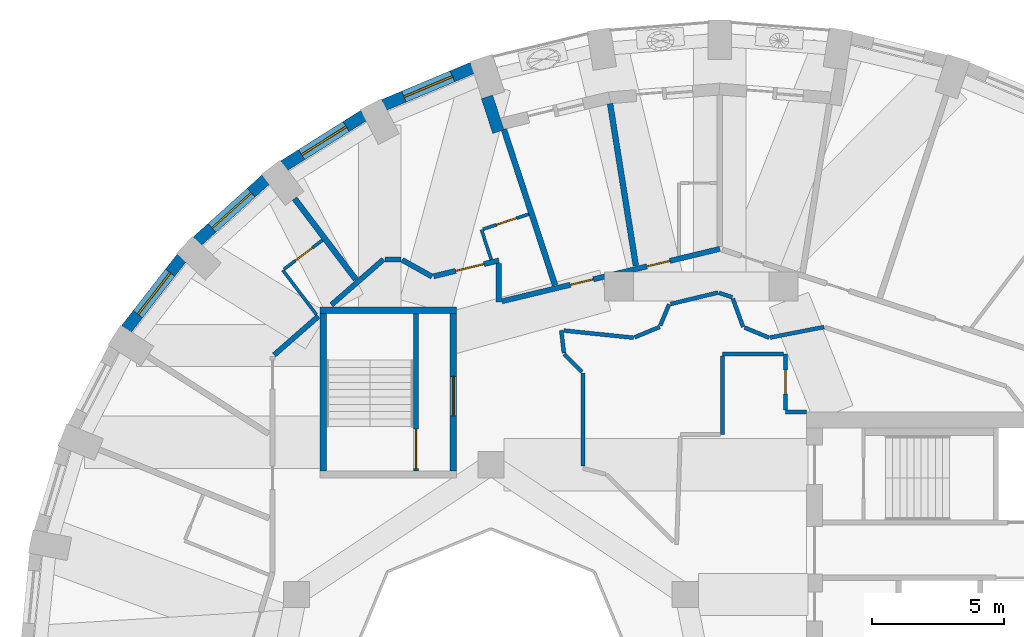
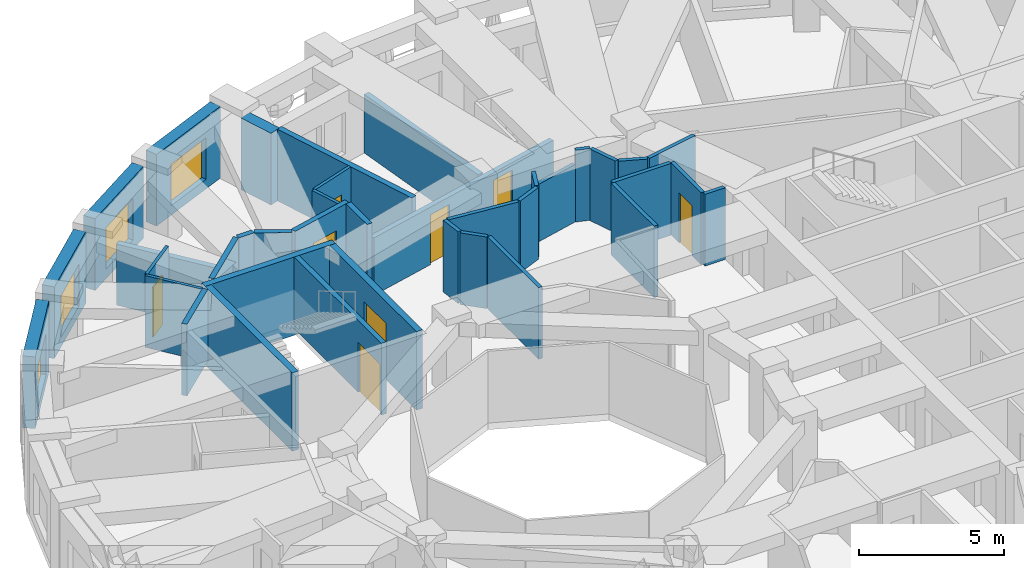
# One storey, part 7 of 12: 38 walls, 8 doors, 4 windows, 12 openings.
"""IFC4 building model written with IfcOpenShell, lengths in metres."""

from ifc_helpers import new_model, si_unit, direction, frame, frame_2d, origin, place, context, subcontext, project, spatial, rectangle, extrude, material, layer, layer_set, type_object, element, fill, save


model = new_model("IFC4")

# Units and contexts
model_context = context("Model", 3, precision=1e-05, world=origin(), true_north=direction((0.0, 1.0)))
body_context = subcontext(model_context, "Body", "Model", "MODEL_VIEW")
ifc_project = project(units=[si_unit("LENGTHUNIT", "METRE"), si_unit("AREAUNIT", "SQUARE_METRE"), si_unit("VOLUMEUNIT", "CUBIC_METRE"), si_unit("PLANEANGLEUNIT", "RADIAN"), si_unit("MASSUNIT", "GRAM", prefix="KILO")], contexts=[model_context])

# Site, building, storey
site_placement = place(None, origin())
site = spatial("IfcSite", under=ifc_project, at=site_placement, CompositionType="ELEMENT")
building_placement = place(site_placement, origin())
building = spatial("IfcBuilding", under=site, at=building_placement, Name="Taillehof Tower", CompositionType="ELEMENT")
storey_placement = place(building_placement, frame((0.0, 0.0, 222.199951171875)))
storey = spatial("IfcBuildingStorey", under=building, at=storey_placement, Name="L63", CompositionType="ELEMENT", Elevation=222.199951171875)

# Wall, opening, window
ifc_material_1 = material(Name="Brick masonry", Category="masonry")
ifc_layer_1 = layer(ifc_material_1, 0.449951171875)
ifc_layer_set_1 = layer_set([ifc_layer_1], Name="Brick infill wall 450")
wall_type_1 = type_object("IfcWallType", Name="Brick infill wall 450", PredefinedType="SOLIDWALL", material=ifc_layer_set_1)
wall_1_placement = place(storey_placement, frame((-8.70263671875, 23.0791015625, 0.0), z_axis=(0.0, 0.0, 1.0), x_axis=(-0.922168222612, -0.386789050006, 0.0)))
wall_1 = element("IfcWall", 1, at=wall_1_placement, inside=storey, type_object=wall_type_1, Name="Brick wall L63 bay 12", PredefinedType="SOLIDWALL", context=body_context, shape_type="SweptSolid", body=[
    extrude(rectangle(XDim=3.65087890625, YDim=0.449951171875, at=frame_2d((1.825439453125, 0.0))), origin(), (0.0, 0.0, 1.0), 3.02001953125),
])
opening_1_placement = place(wall_1_placement, frame((0.825439453125, 0.0, 0.39990234375)))
opening_1 = element("IfcOpeningElement", 2, at=opening_1_placement, cuts=wall_1, Name="Opening W2", PredefinedType="OPENING", context=body_context, shape_type="SweptSolid", body=[
    extrude(rectangle(XDim=2.0, YDim=1.75, at=frame_2d((1.0, 0.875))), frame((0.0, 0.23486328125, 0.0), z_axis=(0.0, -1.0, 0.0), x_axis=(1.0, 0.0, 0.0)), (0.0, 0.0, 1.0), 0.469970703125),
])
ifc_material_2 = material(Name="Aluminium window frame with clear double glazing", Category="aluminium")
window_type = type_object("IfcWindowType", Name="Deep-set window 2000x1750", PartitioningType="SINGLE_PANEL", PredefinedType="WINDOW", material=ifc_material_2)
window_1_placement = place(opening_1_placement, origin())
window_1 = element("IfcWindow", 3, at=window_1_placement, inside=storey, type_object=window_type, Name="W2", OverallHeight=1.75, OverallWidth=2.0, PartitioningType="SINGLE_PANEL", PredefinedType="WINDOW", context=body_context, shape_type="SweptSolid", body=[
    extrude(rectangle(XDim=2.0, YDim=1.75, at=frame_2d((1.0, 0.875))), frame((0.0, 0.034912109375, 0.0), z_axis=(0.0, -1.0, 0.0), x_axis=(1.0, 0.0, 0.0)), (0.0, 0.0, 1.0), 0.06005859375),
])
fill(opening_1, window_1)

wall_2_placement = place(storey_placement, frame((-12.832275390625, 21.27001953125, 0.0), z_axis=(0.0, 0.0, 1.0), x_axis=(-0.846138482752, -0.532963101918, 0.0)))
wall_2 = element("IfcWall", 4, at=wall_2_placement, inside=storey, type_object=wall_type_1, Name="Brick wall L63 bay 13", PredefinedType="SOLIDWALL", context=body_context, shape_type="SweptSolid", body=[
    extrude(rectangle(XDim=3.586669921875, YDim=0.449951171875, at=frame_2d((1.79345703125, 0.0))), origin(), (0.0, 0.0, 1.0), 3.02001953125),
])
opening_2_placement = place(wall_2_placement, frame((0.79345703125, 0.0, 0.39990234375)))
opening_2 = element("IfcOpeningElement", 5, at=opening_2_placement, cuts=wall_2, Name="Opening W2", PredefinedType="OPENING", context=body_context, shape_type="SweptSolid", body=[
    extrude(rectangle(XDim=2.0, YDim=1.75, at=frame_2d((1.0, 0.875))), frame((0.0, 0.23486328125, 0.0), z_axis=(0.0, -1.0, 0.0), x_axis=(1.0, 0.0, 0.0)), (0.0, 0.0, 1.0), 0.469970703125),
])
window_2_placement = place(opening_2_placement, origin())
window_2 = element("IfcWindow", 6, at=window_2_placement, inside=storey, type_object=window_type, Name="W2", OverallHeight=1.75, OverallWidth=2.0, PartitioningType="SINGLE_PANEL", PredefinedType="WINDOW", context=body_context, shape_type="SweptSolid", body=[
    extrude(rectangle(XDim=2.0, YDim=1.75, at=frame_2d((1.0, 0.875))), frame((0.0, 0.034912109375, 0.0), z_axis=(0.0, -1.0, 0.0), x_axis=(1.0, 0.0, 0.0)), (0.0, 0.0, 1.0), 0.06005859375),
])
fill(opening_2, window_2)

wall_3_placement = place(storey_placement, frame((-16.553466796875, 18.83984375, 0.0), z_axis=(0.0, 0.0, 1.0), x_axis=(-0.743442727602, -0.668799604348, 0.0)))
wall_3 = element("IfcWall", 7, at=wall_3_placement, inside=storey, type_object=wall_type_1, Name="Brick wall L63 bay 14", PredefinedType="SOLIDWALL", context=body_context, shape_type="SweptSolid", body=[
    extrude(rectangle(XDim=3.5126953125, YDim=0.449951171875, at=frame_2d((1.75634765625, 0.0))), origin(), (0.0, 0.0, 1.0), 3.02001953125),
])
opening_3_placement = place(wall_3_placement, frame((0.75634765625, 0.0, 0.39990234375)))
opening_3 = element("IfcOpeningElement", 8, at=opening_3_placement, cuts=wall_3, Name="Opening W2", PredefinedType="OPENING", context=body_context, shape_type="SweptSolid", body=[
    extrude(rectangle(XDim=2.0, YDim=1.75, at=frame_2d((1.0, 0.875))), frame((0.0, 0.23486328125, 0.0), z_axis=(0.0, -1.0, 0.0), x_axis=(1.0, 0.0, 0.0)), (0.0, 0.0, 1.0), 0.469970703125),
])
window_3_placement = place(opening_3_placement, origin())
window_3 = element("IfcWindow", 9, at=window_3_placement, inside=storey, type_object=window_type, Name="W2", OverallHeight=1.75, OverallWidth=2.0, PartitioningType="SINGLE_PANEL", PredefinedType="WINDOW", context=body_context, shape_type="SweptSolid", body=[
    extrude(rectangle(XDim=2.0, YDim=1.75, at=frame_2d((1.0, 0.875))), frame((0.0, 0.034912109375, 0.0), z_axis=(0.0, -1.0, 0.0), x_axis=(1.0, 0.0, 0.0)), (0.0, 0.0, 1.0), 0.06005859375),
])
fill(opening_3, window_3)

wall_4_placement = place(storey_placement, frame((-19.751220703125, 15.861083984375, 0.0), z_axis=(0.0, 0.0, 1.0), x_axis=(-0.614220816451, -0.789134201919, 0.0)))
wall_4 = element("IfcWall", 10, at=wall_4_placement, inside=storey, type_object=wall_type_1, Name="Brick wall L63 bay 15", PredefinedType="SOLIDWALL", context=body_context, shape_type="SweptSolid", body=[
    extrude(rectangle(XDim=3.437744140625, YDim=0.449951171875, at=frame_2d((1.71875, 0.0))), origin(), (0.0, 0.0, 1.0), 3.02001953125),
])
opening_4_placement = place(wall_4_placement, frame((0.71875, 0.0, 0.39990234375)))
opening_4 = element("IfcOpeningElement", 11, at=opening_4_placement, cuts=wall_4, Name="Opening W2", PredefinedType="OPENING", context=body_context, shape_type="SweptSolid", body=[
    extrude(rectangle(XDim=2.0, YDim=1.75, at=frame_2d((1.0, 0.875))), frame((0.0, 0.23486328125, 0.0), z_axis=(0.0, -1.0, 0.0), x_axis=(1.0, 0.0, 0.0)), (0.0, 0.0, 1.0), 0.469970703125),
])
window_4_placement = place(opening_4_placement, origin())
window_4 = element("IfcWindow", 12, at=window_4_placement, inside=storey, type_object=window_type, Name="W2", OverallHeight=1.75, OverallWidth=2.0, PartitioningType="SINGLE_PANEL", PredefinedType="WINDOW", context=body_context, shape_type="SweptSolid", body=[
    extrude(rectangle(XDim=2.0, YDim=1.75, at=frame_2d((1.0, 0.875))), frame((0.0, 0.034912109375, 0.0), z_axis=(0.0, -1.0, 0.0), x_axis=(1.0, 0.0, 0.0)), (0.0, 0.0, 1.0), 0.06005859375),
])
fill(opening_4, window_4)

# Walls
wall_5_placement = place(storey_placement, frame((-8.14990234375, 21.9765625, 0.0), z_axis=(0.0, 0.0, 1.0), x_axis=(0.312062715826, -0.950061504005, 0.0)))
element("IfcWall", 13, at=wall_5_placement, inside=storey, type_object=wall_type_1, Name="Brick reveal L63 pocket 2", PredefinedType="SOLIDWALL", context=body_context, shape_type="SweptSolid", body=[
    extrude(rectangle(XDim=1.39013671875, YDim=0.449951171875, at=frame_2d((0.695068359375, 0.0))), origin(), (0.0, 0.0, 1.0), 3.02001953125),
])
ifc_material_3 = material(Name="Gypsum board on steel studs, two layers each side", Category="steel")
ifc_layer_2 = layer(ifc_material_3, 0.199951171875)
ifc_layer_set_2 = layer_set([ifc_layer_2], Name="Compartment wall corridor 200")
wall_type_2 = type_object("IfcWallType", Name="Compartment wall corridor 200", PredefinedType="PARTITIONING", material=ifc_layer_set_2)
wall_6_placement = place(storey_placement, frame((-16.239501953125, 12.167724609375, 0.0), z_axis=(0.0, 0.0, 1.0), x_axis=(0.752820521129, 0.658225844956, 0.0)))
element("IfcWall", 14, at=wall_6_placement, inside=storey, type_object=wall_type_2, Name="Compartment wall", PredefinedType="PARTITIONING", context=body_context, shape_type="SweptSolid", body=[
    extrude(rectangle(XDim=2.232421875, YDim=0.199951171875, at=frame_2d((1.1162109375, 0.0))), origin(), (0.0, 0.0, 1.0), 3.02001953125),
])
wall_7_placement = place(storey_placement, frame((-14.062744140625, 14.071044921875, 0.0), z_axis=(0.0, 0.0, 1.0), x_axis=(0.752870230185, 0.6581689878, 0.0)))
element("IfcWall", 15, at=wall_7_placement, inside=storey, type_object=wall_type_2, Name="Compartment wall", PredefinedType="PARTITIONING", context=body_context, shape_type="SweptSolid", body=[
    extrude(rectangle(XDim=2.626953125, YDim=0.199951171875, at=frame_2d((1.3134765625, 0.0))), origin(), (0.0, 0.0, 1.0), 3.02001953125),
])
wall_8_placement = place(storey_placement, frame((-12.02490234375, 15.800048828125, 0.0), z_axis=(0.0, 0.0, 1.0), x_axis=(1.0, 0.0, 0.0)))
element("IfcWall", 16, at=wall_8_placement, inside=storey, type_object=wall_type_2, Name="Compartment wall", PredefinedType="PARTITIONING", context=body_context, shape_type="SweptSolid", body=[
    extrude(rectangle(XDim=0.614501953125, YDim=0.199951171875, at=frame_2d((0.30712890625, 0.0))), origin(), (0.0, 0.0, 1.0), 3.02001953125),
])
wall_9_placement = place(storey_placement, frame((-11.375244140625, 15.780517578125, 0.0), z_axis=(0.0, 0.0, 1.0), x_axis=(0.873538410035, -0.486755222051, 0.0)))
element("IfcWall", 17, at=wall_9_placement, inside=storey, type_object=wall_type_2, Name="Compartment wall", PredefinedType="PARTITIONING", context=body_context, shape_type="SweptSolid", body=[
    extrude(rectangle(XDim=1.303955078125, YDim=0.199951171875, at=frame_2d((0.65185546875, 0.0))), origin(), (0.0, 0.0, 1.0), 3.02001953125),
])

# Wall, opening, door
wall_10_placement = place(storey_placement, frame((-10.177490234375, 15.15966796875, 0.0), z_axis=(0.0, 0.0, 1.0), x_axis=(0.971984190663, 0.235046236094, 0.0)))
wall_10 = element("IfcWall", 18, at=wall_10_placement, inside=storey, type_object=wall_type_2, Name="Compartment wall", PredefinedType="PARTITIONING", context=body_context, shape_type="SweptSolid", body=[
    extrude(rectangle(XDim=2.548828125, YDim=0.199951171875, at=frame_2d((1.2744140625, 0.0))), origin(), (0.0, 0.0, 1.0), 3.02001953125),
])
opening_5_placement = place(wall_10_placement, frame((0.864501953125, 0.0, 0.0)))
opening_5 = element("IfcOpeningElement", 19, at=opening_5_placement, cuts=wall_10, Name="Opening D6347", PredefinedType="OPENING", context=body_context, shape_type="SweptSolid", body=[
    extrude(rectangle(XDim=1.10009765625, YDim=2.10009765625, at=frame_2d((0.550048828125, 1.050048828125))), frame((0.0, 0.10986328125, 0.0), z_axis=(0.0, -1.0, 0.0), x_axis=(1.0, 0.0, 0.0)), (0.0, 0.0, 1.0), 0.219970703125),
])
ifc_material_4 = material(Name="Timber door leaf in steel frame", Category="steel")
door_type_1 = type_object("IfcDoorType", Name="Suite entrance door EI 30 1100 x 2100", OperationType="SINGLE_SWING_LEFT", PredefinedType="DOOR", material=ifc_material_4)
door_1_placement = place(opening_5_placement, origin())
door_1 = element("IfcDoor", 20, at=door_1_placement, inside=storey, type_object=door_type_1, Name="D6347", OperationType="SINGLE_SWING_RIGHT", OverallHeight=2.10009765625, OverallWidth=1.10009765625, PredefinedType="DOOR", context=body_context, shape_type="SweptSolid", body=[
    extrude(rectangle(XDim=1.10009765625, YDim=2.10009765625, at=frame_2d((0.550048828125, 1.050048828125))), frame((0.0, 0.02490234375, 0.0), z_axis=(0.0, -1.0, 0.0), x_axis=(1.0, 0.0, 0.0)), (0.0, 0.0, 1.0), 0.050048828125),
])
fill(opening_5, door_1)

# Wall
wall_11_placement = place(storey_placement, frame((-7.699951171875, 15.638671875, 0.0), z_axis=(0.0, 0.0, 1.0), x_axis=(0.0, -1.0, 0.0)))
element("IfcWall", 21, at=wall_11_placement, inside=storey, type_object=wall_type_2, Name="Compartment wall", PredefinedType="PARTITIONING", context=body_context, shape_type="SweptSolid", body=[
    extrude(rectangle(XDim=1.458251953125, YDim=0.199951171875, at=frame_2d((0.72900390625, 0.0))), origin(), (0.0, 0.0, 1.0), 3.02001953125),
])

# Wall, openings, doors
wall_12_placement = place(storey_placement, frame((-7.582763671875, 14.208251953125, 0.0), z_axis=(0.0, 0.0, 1.0), x_axis=(0.972284712223, 0.233799996531, 0.0)))
wall_12 = element("IfcWall", 22, at=wall_12_placement, inside=storey, type_object=wall_type_2, Name="Compartment wall", PredefinedType="PARTITIONING", context=body_context, shape_type="SweptSolid", body=[
    extrude(rectangle(XDim=8.518798828125, YDim=0.199951171875, at=frame_2d((4.25927734375, 0.0))), origin(), (0.0, 0.0, 1.0), 2.420166015625),
])
opening_6_placement = place(wall_12_placement, frame((5.66650390625, 0.0, 0.0)))
opening_6 = element("IfcOpeningElement", 23, at=opening_6_placement, cuts=wall_12, Name="Opening D6344", PredefinedType="OPENING", context=body_context, shape_type="SweptSolid", body=[
    extrude(rectangle(XDim=0.89990234375, YDim=2.10009765625, at=frame_2d((0.449951171875, 1.050048828125))), frame((0.0, 0.10986328125, 0.0), z_axis=(0.0, -1.0, 0.0), x_axis=(1.0, 0.0, 0.0)), (0.0, 0.0, 1.0), 0.219970703125),
])
opening_7_placement = place(wall_12_placement, frame((2.67431640625, 0.0, 0.0)))
opening_7 = element("IfcOpeningElement", 24, at=opening_7_placement, cuts=wall_12, Name="Opening D6346", PredefinedType="OPENING", context=body_context, shape_type="SweptSolid", body=[
    extrude(rectangle(XDim=0.89990234375, YDim=2.10009765625, at=frame_2d((0.449951171875, 1.050048828125))), frame((0.0, 0.10986328125, 0.0), z_axis=(0.0, -1.0, 0.0), x_axis=(1.0, 0.0, 0.0)), (0.0, 0.0, 1.0), 0.219970703125),
])
ifc_material_5 = material(Name="Timber door leaf in steel frame", Category="steel")
door_type_2 = type_object("IfcDoorType", Name="Guest room door EI 30 900 x 2100", OperationType="SINGLE_SWING_LEFT", PredefinedType="DOOR", material=ifc_material_5)
door_2_placement = place(opening_6_placement, origin())
door_2 = element("IfcDoor", 25, at=door_2_placement, inside=storey, type_object=door_type_2, Name="D6344", OperationType="SINGLE_SWING_LEFT", OverallHeight=2.10009765625, OverallWidth=0.89990234375, PredefinedType="DOOR", context=body_context, shape_type="SweptSolid", body=[
    extrude(rectangle(XDim=0.89990234375, YDim=2.10009765625, at=frame_2d((0.449951171875, 1.050048828125))), frame((0.0, 0.02490234375, 0.0), z_axis=(0.0, -1.0, 0.0), x_axis=(1.0, 0.0, 0.0)), (0.0, 0.0, 1.0), 0.050048828125),
])
fill(opening_6, door_2)
ifc_material_6 = material(Name="Timber door leaf in steel frame", Category="steel")
door_type_3 = type_object("IfcDoorType", Name="Service room door EI 30 900 x 2100", OperationType="SINGLE_SWING_LEFT", PredefinedType="DOOR", material=ifc_material_6)
door_3_placement = place(opening_7_placement, origin())
door_3 = element("IfcDoor", 26, at=door_3_placement, inside=storey, type_object=door_type_3, Name="D6346", OperationType="SINGLE_SWING_LEFT", OverallHeight=2.10009765625, OverallWidth=0.89990234375, PredefinedType="DOOR", context=body_context, shape_type="SweptSolid", body=[
    extrude(rectangle(XDim=0.89990234375, YDim=2.10009765625, at=frame_2d((0.449951171875, 1.050048828125))), frame((0.0, 0.02490234375, 0.0), z_axis=(0.0, -1.0, 0.0), x_axis=(1.0, 0.0, 0.0)), (0.0, 0.0, 1.0), 0.050048828125),
])
fill(opening_7, door_3)

# Walls
ifc_material_7 = material(Name="Gypsum board on double steel studs with mineral wool", Category="steel")
ifc_layer_3 = layer(ifc_material_7, 0.219970703125)
ifc_layer_set_3 = layer_set([ifc_layer_3], Name="Compartment wall guest room 220")
wall_type_3 = type_object("IfcWallType", Name="Compartment wall guest room 220", PredefinedType="PARTITIONING", material=ifc_layer_set_3)
wall_13_placement = place(storey_placement, frame((-3.470947265625, 21.719482421875, 0.0), z_axis=(0.0, 0.0, 1.0), x_axis=(0.157105510173, -0.987581823786, 0.0)))
element("IfcWall", 27, at=wall_13_placement, inside=storey, type_object=wall_type_3, Name="Compartment wall", PredefinedType="PARTITIONING", context=body_context, shape_type="SweptSolid", body=[
    extrude(rectangle(XDim=6.24072265625, YDim=0.219970703125, at=frame_2d((3.120361328125, 0.0))), origin(), (0.0, 0.0, 1.0), 2.469970703125),
])
wall_14_placement = place(storey_placement, frame((-7.508056640625, 20.743408203125, 0.0), z_axis=(0.0, 0.0, 1.0), x_axis=(0.311985211021, -0.95008695818, 0.0)))
element("IfcWall", 28, at=wall_14_placement, inside=storey, type_object=wall_type_3, Name="Compartment wall", PredefinedType="PARTITIONING", context=body_context, shape_type="SweptSolid", body=[
    extrude(rectangle(XDim=6.23681640625, YDim=0.219970703125, at=frame_2d((3.118408203125, 0.0))), origin(), (0.0, 0.0, 1.0), 3.02001953125),
])
wall_15_placement = place(storey_placement, frame((-15.46337890625, 18.112548828125, 0.0), z_axis=(0.0, 0.0, 1.0), x_axis=(0.603591792806, -0.79729351412, 0.0)))
element("IfcWall", 29, at=wall_15_placement, inside=storey, type_object=wall_type_3, Name="Compartment wall", PredefinedType="PARTITIONING", context=body_context, shape_type="SweptSolid", body=[
    extrude(rectangle(XDim=3.854248046875, YDim=0.219970703125, at=frame_2d((1.92724609375, 0.0))), origin(), (0.0, 0.0, 1.0), 2.570068359375),
])
ifc_material_8 = material(Name="Gypsum board on steel studs, two layers each side", Category="steel")
ifc_layer_4 = layer(ifc_material_8, 0.14990234375)
ifc_layer_set_4 = layer_set([ifc_layer_4], Name="Compartment wall service room 150")
wall_type_4 = type_object("IfcWallType", Name="Compartment wall service room 150", PredefinedType="PARTITIONING", material=ifc_layer_set_4)
wall_16_placement = place(storey_placement, frame((4.0009765625, 10.0, 0.0), z_axis=(0.0, 0.0, 1.0), x_axis=(-1.0, 0.0, 0.0)))
element("IfcWall", 30, at=wall_16_placement, inside=storey, type_object=wall_type_4, Name="Compartment wall", PredefinedType="PARTITIONING", context=body_context, shape_type="SweptSolid", body=[
    extrude(rectangle(XDim=0.801025390625, YDim=0.14990234375, at=frame_2d((0.400390625, 0.0))), origin(), (0.0, 0.0, 1.0), 3.02001953125),
])

# Wall, opening, door
wall_17_placement = place(storey_placement, frame((3.199951171875, 10.080078125, 0.0), z_axis=(0.0, 0.0, 1.0), x_axis=(0.0, 1.0, 0.0)))
wall_17 = element("IfcWall", 31, at=wall_17_placement, inside=storey, type_object=wall_type_4, Name="Compartment wall", PredefinedType="PARTITIONING", context=body_context, shape_type="SweptSolid", body=[
    extrude(rectangle(XDim=2.119873046875, YDim=0.14990234375, at=frame_2d((1.06005859375, 0.0))), origin(), (0.0, 0.0, 1.0), 3.02001953125),
])
opening_8_placement = place(wall_17_placement, frame((0.60986328125, 0.0, 0.0)))
opening_8 = element("IfcOpeningElement", 32, at=opening_8_placement, cuts=wall_17, Name="Opening D6368", PredefinedType="OPENING", context=body_context, shape_type="SweptSolid", body=[
    extrude(rectangle(XDim=0.89990234375, YDim=2.10009765625, at=frame_2d((0.449951171875, 1.050048828125))), frame((0.0, 0.0849609375, 0.0), z_axis=(0.0, -1.0, 0.0), x_axis=(1.0, 0.0, 0.0)), (0.0, 0.0, 1.0), 0.169921875),
])
door_4_placement = place(opening_8_placement, origin())
door_4 = element("IfcDoor", 33, at=door_4_placement, inside=storey, type_object=door_type_3, Name="D6368", OperationType="SINGLE_SWING_RIGHT", OverallHeight=2.10009765625, OverallWidth=0.89990234375, PredefinedType="DOOR", context=body_context, shape_type="SweptSolid", body=[
    extrude(rectangle(XDim=0.89990234375, YDim=2.10009765625, at=frame_2d((0.449951171875, 1.050048828125))), frame((0.0, 0.02490234375, 0.0), z_axis=(0.0, -1.0, 0.0), x_axis=(1.0, 0.0, 0.0)), (0.0, 0.0, 1.0), 0.050048828125),
])
fill(opening_8, door_4)

# Walls
wall_18_placement = place(storey_placement, frame((3.119873046875, 12.199951171875, 0.0), z_axis=(0.0, 0.0, 1.0), x_axis=(-1.0, 0.0, 0.0)))
element("IfcWall", 34, at=wall_18_placement, inside=storey, type_object=wall_type_4, Name="Compartment wall", PredefinedType="PARTITIONING", context=body_context, shape_type="SweptSolid", body=[
    extrude(rectangle(XDim=2.31982421875, YDim=0.14990234375, at=frame_2d((1.159912109375, 0.0))), origin(), (0.0, 0.0, 1.0), 3.02001953125),
])
wall_19_placement = place(storey_placement, frame((0.800048828125, 12.119873046875, 0.0), z_axis=(0.0, 0.0, 1.0), x_axis=(0.0, -1.0, 0.0)))
element("IfcWall", 35, at=wall_19_placement, inside=storey, type_object=wall_type_4, Name="Compartment wall", PredefinedType="PARTITIONING", context=body_context, shape_type="SweptSolid", body=[
    extrude(rectangle(XDim=2.969970703125, YDim=0.14990234375, at=frame_2d((1.48486328125, 0.0))), origin(), (0.0, 0.0, 1.0), 3.02001953125),
])
wall_20_placement = place(storey_placement, frame((-4.5, 7.942138671875, 0.0), z_axis=(0.0, 0.0, 1.0), x_axis=(0.0, 1.0, 0.0)))
element("IfcWall", 36, at=wall_20_placement, inside=storey, type_object=wall_type_4, Name="Compartment wall", PredefinedType="PARTITIONING", context=body_context, shape_type="SweptSolid", body=[
    extrude(rectangle(XDim=3.537841796875, YDim=0.14990234375, at=frame_2d((1.76904296875, 0.0))), origin(), (0.0, 0.0, 1.0), 3.02001953125),
])
wall_21_placement = place(storey_placement, frame((-4.54248046875, 11.5224609375, 0.0), z_axis=(0.0, 0.0, 1.0), x_axis=(-0.707106781187, 0.707106781187, 0.0)))
element("IfcWall", 37, at=wall_21_placement, inside=storey, type_object=wall_type_4, Name="Compartment wall", PredefinedType="PARTITIONING", context=body_context, shape_type="SweptSolid", body=[
    extrude(rectangle(XDim=0.9580078125, YDim=0.14990234375, at=frame_2d((0.47900390625, 0.0))), origin(), (0.0, 0.0, 1.0), 3.02001953125),
])
wall_22_placement = place(storey_placement, frame((-5.224853515625, 12.239501953125, 0.0), z_axis=(0.0, 0.0, 1.0), x_axis=(-0.117621146984, 0.993058540964, 0.0)))
element("IfcWall", 38, at=wall_22_placement, inside=storey, type_object=wall_type_4, Name="Compartment wall", PredefinedType="PARTITIONING", context=body_context, shape_type="SweptSolid", body=[
    extrude(rectangle(XDim=0.871826171875, YDim=0.14990234375, at=frame_2d((0.43603515625, 0.0))), origin(), (0.0, 0.0, 1.0), 3.02001953125),
])
wall_23_placement = place(storey_placement, frame((-5.228515625, 13.095458984375, 0.0), z_axis=(0.0, 0.0, 1.0), x_axis=(0.994729851422, -0.102530593925, 0.0)))
element("IfcWall", 39, at=wall_23_placement, inside=storey, type_object=wall_type_4, Name="Compartment wall", PredefinedType="PARTITIONING", context=body_context, shape_type="SweptSolid", body=[
    extrude(rectangle(XDim=2.6669921875, YDim=0.14990234375, at=frame_2d((1.33349609375, 0.0))), origin(), (0.0, 0.0, 1.0), 3.02001953125),
])
wall_24_placement = place(storey_placement, frame((-2.53857421875, 12.837158203125, 0.0), z_axis=(0.0, 0.0, 1.0), x_axis=(0.923768662954, 0.382950985565, 0.0)))
element("IfcWall", 40, at=wall_24_placement, inside=storey, type_object=wall_type_4, Name="Compartment wall", PredefinedType="PARTITIONING", context=body_context, shape_type="SweptSolid", body=[
    extrude(rectangle(XDim=1.031494140625, YDim=0.14990234375, at=frame_2d((0.515625, 0.0))), origin(), (0.0, 0.0, 1.0), 3.02001953125),
])
wall_25_placement = place(storey_placement, frame((-1.56298828125, 13.287841796875, 0.0), z_axis=(0.0, 0.0, 1.0), x_axis=(0.383038417634, 0.923732412886, 0.0)))
element("IfcWall", 41, at=wall_25_placement, inside=storey, type_object=wall_type_4, Name="Compartment wall", PredefinedType="PARTITIONING", context=body_context, shape_type="SweptSolid", body=[
    extrude(rectangle(XDim=0.86865234375, YDim=0.14990234375, at=frame_2d((0.434326171875, 0.0))), origin(), (0.0, 0.0, 1.0), 3.02001953125),
])
wall_26_placement = place(storey_placement, frame((-1.171630859375, 14.104248046875, 0.0), z_axis=(0.0, 0.0, 1.0), x_axis=(0.972260724841, 0.233899728371, 0.0)))
element("IfcWall", 42, at=wall_26_placement, inside=storey, type_object=wall_type_4, Name="Compartment wall", PredefinedType="PARTITIONING", context=body_context, shape_type="SweptSolid", body=[
    extrude(rectangle(XDim=1.85791015625, YDim=0.14990234375, at=frame_2d((0.928955078125, 0.0))), origin(), (0.0, 0.0, 1.0), 2.420166015625),
])
wall_27_placement = place(storey_placement, frame((0.6728515625, 14.526611328125, 0.0), z_axis=(0.0, 0.0, 1.0), x_axis=(0.950966196829, -0.309294831008, 0.0)))
element("IfcWall", 43, at=wall_27_placement, inside=storey, type_object=wall_type_4, Name="Compartment wall", PredefinedType="PARTITIONING", context=body_context, shape_type="SweptSolid", body=[
    extrude(rectangle(XDim=0.52880859375, YDim=0.14990234375, at=frame_2d((0.264404296875, 0.0))), origin(), (0.0, 0.0, 1.0), 3.02001953125),
])
wall_28_placement = place(storey_placement, frame((1.1962890625, 14.306640625, 0.0), z_axis=(0.0, 0.0, 1.0), x_axis=(0.340730877952, -0.940160873899, 0.0)))
element("IfcWall", 44, at=wall_28_placement, inside=storey, type_object=wall_type_4, Name="Compartment wall", PredefinedType="PARTITIONING", context=body_context, shape_type="SweptSolid", body=[
    extrude(rectangle(XDim=1.142822265625, YDim=0.14990234375, at=frame_2d((0.5712890625, 0.0))), origin(), (0.0, 0.0, 1.0), 3.02001953125),
])
wall_29_placement = place(storey_placement, frame((1.641357421875, 13.20947265625, 0.0), z_axis=(0.0, 0.0, 1.0), x_axis=(0.923725449546, -0.383055209937, 0.0)))
element("IfcWall", 45, at=wall_29_placement, inside=storey, type_object=wall_type_4, Name="Compartment wall", PredefinedType="PARTITIONING", context=body_context, shape_type="SweptSolid", body=[
    extrude(rectangle(XDim=1.011474609375, YDim=0.14990234375, at=frame_2d((0.505859375, 0.0))), origin(), (0.0, 0.0, 1.0), 3.02001953125),
])
wall_30_placement = place(storey_placement, frame((2.61474609375, 12.829833984375, 0.0), z_axis=(0.0, 0.0, 1.0), x_axis=(0.98140512634, 0.191947852276, 0.0)))
element("IfcWall", 46, at=wall_30_placement, inside=storey, type_object=wall_type_4, Name="Compartment wall", PredefinedType="PARTITIONING", context=body_context, shape_type="SweptSolid", body=[
    extrude(rectangle(XDim=2.084716796875, YDim=0.14990234375, at=frame_2d((1.04248046875, 0.0))), origin(), (0.0, 0.0, 1.0), 3.02001953125),
])
ifc_material_9 = material(Name="Gypsum board on steel studs, moisture resistant", Category="steel")
ifc_layer_5 = layer(ifc_material_9, 0.1201171875)
ifc_layer_set_5 = layer_set([ifc_layer_5], Name="En-suite wall 120")
wall_type_5 = type_object("IfcWallType", Name="En-suite wall 120", PredefinedType="PARTITIONING", material=ifc_layer_set_5)
wall_31_placement = place(storey_placement, frame((-7.987060546875, 15.792236328125, 0.0), z_axis=(0.0, 0.0, 1.0), x_axis=(-0.312187467963, 0.950020518119, 0.0)))
element("IfcWall", 47, at=wall_31_placement, inside=storey, type_object=wall_type_5, Name="En-suite wall", PredefinedType="PARTITIONING", context=body_context, shape_type="SweptSolid", body=[
    extrude(rectangle(XDim=1.197265625, YDim=0.1201171875, at=frame_2d((0.5986328125, 0.0))), origin(), (0.0, 0.0, 1.0), 3.02001953125),
])
wall_32_placement = place(storey_placement, frame((-14.63427734375, 13.7041015625, 0.0), z_axis=(0.0, 0.0, 1.0), x_axis=(-0.603613230526, 0.797277284221, 0.0)))
element("IfcWall", 48, at=wall_32_placement, inside=storey, type_object=wall_type_5, Name="En-suite wall", PredefinedType="PARTITIONING", context=body_context, shape_type="SweptSolid", body=[
    extrude(rectangle(XDim=2.115234375, YDim=0.1201171875, at=frame_2d((1.0576171875, 0.0))), origin(), (0.0, 0.0, 1.0), 3.02001953125),
])

# Wall, opening, door
wall_33_placement = place(storey_placement, frame((-8.303955078125, 16.948486328125, 0.0), z_axis=(0.0, 0.0, 1.0), x_axis=(0.95011423119, 0.311902144415, 0.0)))
wall_33 = element("IfcWall", 49, at=wall_33_placement, inside=storey, type_object=wall_type_5, Name="En-suite wall", PredefinedType="PARTITIONING", context=body_context, shape_type="SweptSolid", body=[
    extrude(rectangle(XDim=1.830078125, YDim=0.1201171875, at=frame_2d((0.9150390625, 0.0))), origin(), (0.0, 0.0, 1.0), 3.02001953125),
])
opening_9_placement = place(wall_33_placement, frame((0.540283203125, 0.0, 0.0)))
opening_9 = element("IfcOpeningElement", 50, at=opening_9_placement, cuts=wall_33, Name="Opening D6348", PredefinedType="OPENING", context=body_context, shape_type="SweptSolid", body=[
    extrude(rectangle(XDim=0.800048828125, YDim=2.10009765625, at=frame_2d((0.39990234375, 1.050048828125))), frame((0.0, 0.070068359375, 0.0), z_axis=(0.0, -1.0, 0.0), x_axis=(1.0, 0.0, 0.0)), (0.0, 0.0, 1.0), 0.14013671875),
])
ifc_material_10 = material(Name="Timber door leaf in steel frame", Category="steel")
door_type_4 = type_object("IfcDoorType", Name="En-suite door 800 x 2100", OperationType="SINGLE_SWING_LEFT", PredefinedType="DOOR", material=ifc_material_10)
door_5_placement = place(opening_9_placement, origin())
door_5 = element("IfcDoor", 51, at=door_5_placement, inside=storey, type_object=door_type_4, Name="D6348", OperationType="SINGLE_SWING_RIGHT", OverallHeight=2.10009765625, OverallWidth=0.800048828125, PredefinedType="DOOR", context=body_context, shape_type="SweptSolid", body=[
    extrude(rectangle(XDim=0.800048828125, YDim=2.10009765625, at=frame_2d((0.39990234375, 1.050048828125))), frame((0.0, 0.02490234375, 0.0), z_axis=(0.0, -1.0, 0.0), x_axis=(1.0, 0.0, 0.0)), (0.0, 0.0, 1.0), 0.050048828125),
])
fill(opening_9, door_5)

wall_34_placement = place(storey_placement, frame((-15.86328125, 15.4267578125, 0.0), z_axis=(0.0, 0.0, 1.0), x_axis=(0.79730226728, 0.603580230451, 0.0)))
wall_34 = element("IfcWall", 52, at=wall_34_placement, inside=storey, type_object=wall_type_5, Name="En-suite wall", PredefinedType="PARTITIONING", context=body_context, shape_type="SweptSolid", body=[
    extrude(rectangle(XDim=1.829833984375, YDim=0.1201171875, at=frame_2d((0.9150390625, 0.0))), origin(), (0.0, 0.0, 1.0), 3.02001953125),
])
opening_10_placement = place(wall_34_placement, frame((0.5400390625, 0.0, 0.0)))
opening_10 = element("IfcOpeningElement", 53, at=opening_10_placement, cuts=wall_34, Name="Opening D6350", PredefinedType="OPENING", context=body_context, shape_type="SweptSolid", body=[
    extrude(rectangle(XDim=0.800048828125, YDim=2.10009765625, at=frame_2d((0.39990234375, 1.050048828125))), frame((0.0, 0.070068359375, 0.0), z_axis=(0.0, -1.0, 0.0), x_axis=(1.0, 0.0, 0.0)), (0.0, 0.0, 1.0), 0.14013671875),
])
door_6_placement = place(opening_10_placement, origin())
door_6 = element("IfcDoor", 54, at=door_6_placement, inside=storey, type_object=door_type_4, Name="D6350", OperationType="SINGLE_SWING_RIGHT", OverallHeight=2.10009765625, OverallWidth=0.800048828125, PredefinedType="DOOR", context=body_context, shape_type="SweptSolid", body=[
    extrude(rectangle(XDim=0.800048828125, YDim=2.10009765625, at=frame_2d((0.39990234375, 1.050048828125))), frame((0.0, 0.02490234375, 0.0), z_axis=(0.0, -1.0, 0.0), x_axis=(1.0, 0.0, 0.0)), (0.0, 0.0, 1.0), 0.050048828125),
])
fill(opening_10, door_6)

ifc_material_11 = material(Name="Concrete C50/60", Category="concrete")
ifc_layer_6 = layer(ifc_material_11, 0.199951171875)
ifc_layer_set_6 = layer_set([ifc_layer_6], Name="Shaft wall C50/60 200")
wall_type_6 = type_object("IfcWallType", Name="Shaft wall C50/60 200", PredefinedType="SHEAR", material=ifc_layer_set_6)
wall_35_placement = place(storey_placement, frame((-10.85009765625, 7.75, 0.0), z_axis=(0.0, 0.0, 1.0), x_axis=(0.0, 1.0, 0.0)))
wall_35 = element("IfcWall", 55, at=wall_35_placement, inside=storey, type_object=wall_type_6, Name="Shaft wall SW", PredefinedType="SHEAR", context=body_context, shape_type="SweptSolid", body=[
    extrude(rectangle(XDim=6.0, YDim=0.199951171875, at=frame_2d((3.0, 0.0))), origin(), (0.0, 0.0, 1.0), 3.02001953125),
])
opening_11_placement = place(wall_35_placement, frame((0.10009765625, 0.0, 0.0)))
opening_11 = element("IfcOpeningElement", 56, at=opening_11_placement, cuts=wall_35, Name="Opening D6312", PredefinedType="OPENING", context=body_context, shape_type="SweptSolid", body=[
    extrude(rectangle(XDim=1.5, YDim=2.10009765625, at=frame_2d((0.75, 1.050048828125))), frame((0.0, 0.10986328125, 0.0), z_axis=(0.0, -1.0, 0.0), x_axis=(1.0, 0.0, 0.0)), (0.0, 0.0, 1.0), 0.219970703125),
])
ifc_material_12 = material(Name="Steel-faced fire door", Category="steel")
door_type_5 = type_object("IfcDoorType", Name="Stair door 1500x2100", OperationType="DOUBLE_DOOR_SINGLE_SWING", PredefinedType="DOOR", material=ifc_material_12)
door_7_placement = place(opening_11_placement, origin())
door_7 = element("IfcDoor", 57, at=door_7_placement, inside=storey, type_object=door_type_5, Name="Stair lobby door S3", OperationType="DOUBLE_DOOR_SINGLE_SWING", OverallHeight=2.10009765625, OverallWidth=1.5, PredefinedType="DOOR", context=body_context, shape_type="SweptSolid", body=[
    extrude(rectangle(XDim=1.5, YDim=2.10009765625, at=frame_2d((0.75, 1.050048828125))), frame((0.0, 0.02490234375, 0.0), z_axis=(0.0, -1.0, 0.0), x_axis=(1.0, 0.0, 0.0)), (0.0, 0.0, 1.0), 0.050048828125),
])
fill(opening_11, door_7)

# Wall
ifc_material_13 = material(Name="Concrete C50/60", Category="concrete")
ifc_layer_7 = layer(ifc_material_13, 0.25)
ifc_layer_set_7 = layer_set([ifc_layer_7], Name="Stair wall C50/60 250")
wall_type_7 = type_object("IfcWallType", Name="Stair wall C50/60 250", PredefinedType="SHEAR", material=ifc_layer_set_7)
wall_36_placement = place(storey_placement, frame((-14.375, 7.75, -0.280029296875), z_axis=(0.0, 0.0, 1.0), x_axis=(0.0, 1.0, 0.0)))
element("IfcWall", 58, at=wall_36_placement, inside=storey, type_object=wall_type_7, Name="Stair wall SC", PredefinedType="SHEAR", context=body_context, shape_type="SweptSolid", body=[
    extrude(rectangle(XDim=6.0, YDim=0.25, at=frame_2d((3.0, 0.0))), origin(), (0.0, 0.0, 1.0), 3.300048828125),
])

# Wall, opening, door
wall_37_placement = place(storey_placement, frame((-9.425048828125, 7.75, -0.280029296875), z_axis=(0.0, 0.0, 1.0), x_axis=(0.0, 1.0, 0.0)))
wall_37 = element("IfcWall", 59, at=wall_37_placement, inside=storey, type_object=wall_type_7, Name="Stair wall SC", PredefinedType="SHEAR", context=body_context, shape_type="SweptSolid", body=[
    extrude(rectangle(XDim=6.0, YDim=0.25, at=frame_2d((3.0, 0.0))), origin(), (0.0, 0.0, 1.0), 3.300048828125),
])
opening_12_placement = place(wall_37_placement, frame((2.10009765625, 0.0, 0.280029296875)))
opening_12 = element("IfcOpeningElement", 60, at=opening_12_placement, cuts=wall_37, Name="Opening D6315", PredefinedType="OPENING", context=body_context, shape_type="SweptSolid", body=[
    extrude(rectangle(XDim=1.5, YDim=2.10009765625, at=frame_2d((0.75, 1.050048828125))), frame((0.0, 0.135009765625, 0.0), z_axis=(0.0, -1.0, 0.0), x_axis=(1.0, 0.0, 0.0)), (0.0, 0.0, 1.0), 0.27001953125),
])
door_8_placement = place(opening_12_placement, origin())
door_8 = element("IfcDoor", 61, at=door_8_placement, inside=storey, type_object=door_type_5, Name="Stair door S3", OperationType="DOUBLE_DOOR_SINGLE_SWING", OverallHeight=2.10009765625, OverallWidth=1.5, PredefinedType="DOOR", context=body_context, shape_type="SweptSolid", body=[
    extrude(rectangle(XDim=1.5, YDim=2.10009765625, at=frame_2d((0.75, 1.050048828125))), frame((0.0, 0.02490234375, 0.0), z_axis=(0.0, -1.0, 0.0), x_axis=(1.0, 0.0, 0.0)), (0.0, 0.0, 1.0), 0.050048828125),
])
fill(opening_12, door_8)

# Wall
wall_38_placement = place(storey_placement, frame((-14.5, 13.875, -0.280029296875), z_axis=(0.0, 0.0, 1.0), x_axis=(1.0, 0.0, 0.0)))
element("IfcWall", 62, at=wall_38_placement, inside=storey, type_object=wall_type_7, Name="Stair wall SC", PredefinedType="SHEAR", context=body_context, shape_type="SweptSolid", body=[
    extrude(rectangle(XDim=5.199951171875, YDim=0.25, at=frame_2d((2.60009765625, 0.0))), origin(), (0.0, 0.0, 1.0), 3.300048828125),
])

save(model, "model.ifc")
